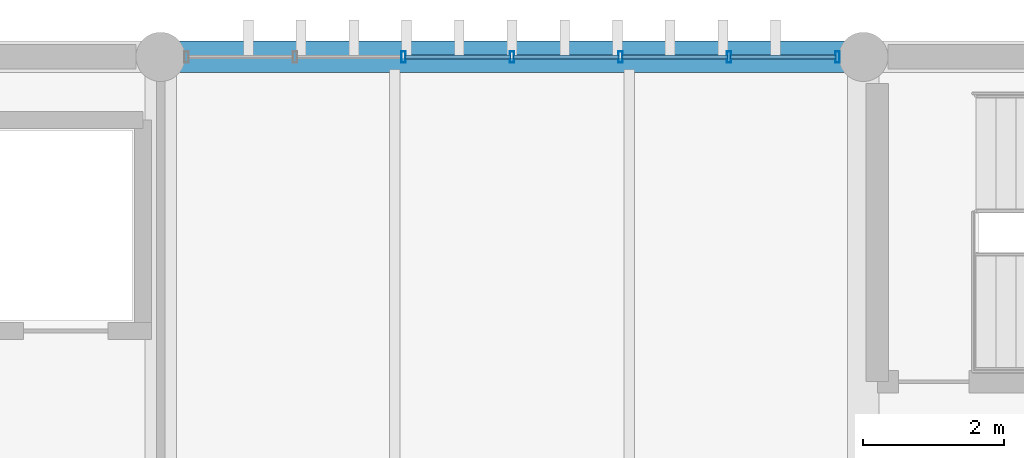
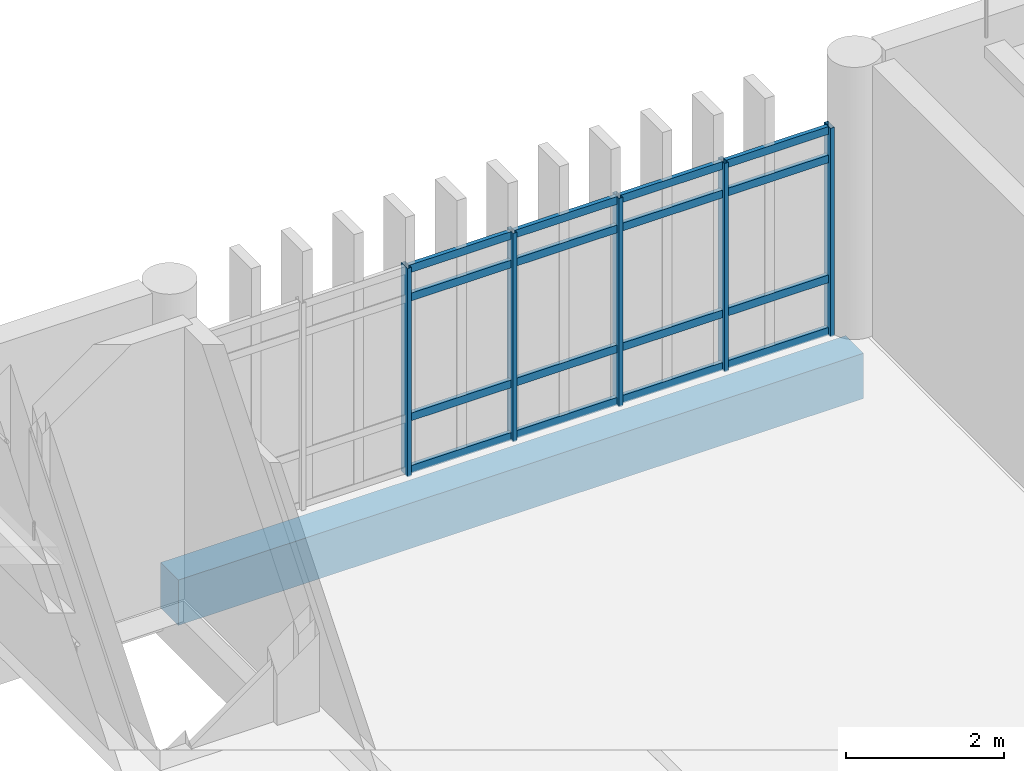
# One storey, part 18 of 29: 21 members, 1 beam, 1 element without a shape of its own.
"""IFC4 building model written with IfcOpenShell, lengths in metres."""

from ifc_helpers import new_model, si_unit, direction, frame, origin, origin_2d, place, context, subcontext, project, spatial, rectangle, hollow_rectangle, extrude, material, layer, layer_set, material_profile, profile_set, type_object, element, aggregate, save


model = new_model("IFC4")

# Units and contexts
model_context = context("Model", 3, precision=1e-05, world=origin(), true_north=direction((0.0, 1.0)))
body_context = subcontext(model_context, "Body", "Model", "MODEL_VIEW")
ifc_project = project(units=[si_unit("LENGTHUNIT", "METRE"), si_unit("AREAUNIT", "SQUARE_METRE"), si_unit("VOLUMEUNIT", "CUBIC_METRE"), si_unit("PLANEANGLEUNIT", "RADIAN"), si_unit("MASSUNIT", "GRAM", prefix="KILO")], contexts=[model_context])

# Site, building, storey
site_placement = place(None, origin())
site = spatial("IfcSite", under=ifc_project, at=site_placement, CompositionType="ELEMENT")
building_placement = place(site_placement, origin())
building = spatial("IfcBuilding", under=site, at=building_placement, Name="Mersad Railyard Sports Hall", CompositionType="ELEMENT")
storey_placement = place(building_placement, frame((0.0, 0.0, 17.39990234375)))
storey = spatial("IfcBuildingStorey", under=building, at=storey_placement, Name="L04", CompositionType="ELEMENT", Elevation=17.39990234375)

# Curtain wall, members
ifc_material_1 = material(Name="Aluminium 6063-T6", Category="aluminium")
ifc_layer = layer(ifc_material_1, 0.159912109375)
ifc_layer_set = layer_set([ifc_layer], Name="Aluminium 6063-T6")
curtain_wall_type = type_object("IfcCurtainWallType", Name="ARC-CW-CW63", PredefinedType="USERDEFINED", material=ifc_layer_set)
curtain_wall_placement = place(storey_placement, origin())
curtain_wall = element("IfcCurtainWall", 1, at=curtain_wall_placement, inside=storey, type_object=curtain_wall_type, Name="Curtain wall CW63-0164", ObjectType="CURTAIN WALL", PredefinedType="USERDEFINED")
ifc_material_profile_1 = material_profile(ifc_material_1, hollow_rectangle(XDim=0.06005859375, YDim=0.159912109375, WallThickness=0.00390625, at=origin_2d()), Name="AL MULLION 60x160x4")
ifc_profile_set_1 = profile_set([ifc_material_profile_1], Name="Aluminium 6063-T6")
member_type_1 = type_object("IfcMemberType", Name="ARC-CW-MUL01", PredefinedType="MULLION", material=ifc_profile_set_1)
member_1_placement = place(storey_placement, frame((104.456787109375, 115.0, -0.02001953125), z_axis=(0.0, 0.0, 1.0), x_axis=(1.0, 0.0, 0.0)))
member_1 = element("IfcMember", 2, at=member_1_placement, type_object=member_type_1, Name="CW63 Mullion 3", PredefinedType="MULLION", context=body_context, shape_type="SweptSolid", body=[
    extrude(hollow_rectangle(XDim=0.06005859375, YDim=0.159912109375, WallThickness=0.00390625, at=origin_2d()), origin(), (0.0, 0.0, 1.0), 3.22021484375),
])
member_2_placement = place(storey_placement, frame((106.0, 115.0, -0.02001953125), z_axis=(0.0, 0.0, 1.0), x_axis=(1.0, 0.0, 0.0)))
member_2 = element("IfcMember", 3, at=member_2_placement, type_object=member_type_1, Name="CW63 Mullion 4", PredefinedType="MULLION", context=body_context, shape_type="SweptSolid", body=[
    extrude(hollow_rectangle(XDim=0.06005859375, YDim=0.159912109375, WallThickness=0.00390625, at=origin_2d()), origin(), (0.0, 0.0, 1.0), 3.22021484375),
])
member_3_placement = place(storey_placement, frame((107.543212890625, 115.0, -0.02001953125), z_axis=(0.0, 0.0, 1.0), x_axis=(1.0, 0.0, 0.0)))
member_3 = element("IfcMember", 4, at=member_3_placement, type_object=member_type_1, Name="CW63 Mullion 5", PredefinedType="MULLION", context=body_context, shape_type="SweptSolid", body=[
    extrude(hollow_rectangle(XDim=0.06005859375, YDim=0.159912109375, WallThickness=0.00390625, at=origin_2d()), origin(), (0.0, 0.0, 1.0), 3.22021484375),
])
member_4_placement = place(storey_placement, frame((109.086669921875, 115.0, -0.02001953125), z_axis=(0.0, 0.0, 1.0), x_axis=(1.0, 0.0, 0.0)))
member_4 = element("IfcMember", 5, at=member_4_placement, type_object=member_type_1, Name="CW63 Mullion 6", PredefinedType="MULLION", context=body_context, shape_type="SweptSolid", body=[
    extrude(hollow_rectangle(XDim=0.06005859375, YDim=0.159912109375, WallThickness=0.00390625, at=origin_2d()), origin(), (0.0, 0.0, 1.0), 3.22021484375),
])
member_5_placement = place(storey_placement, frame((110.6298828125, 115.0, -0.02001953125), z_axis=(0.0, 0.0, 1.0), x_axis=(1.0, 0.0, 0.0)))
member_5 = element("IfcMember", 6, at=member_5_placement, type_object=member_type_1, Name="CW63 Mullion 7", PredefinedType="MULLION", context=body_context, shape_type="SweptSolid", body=[
    extrude(hollow_rectangle(XDim=0.06005859375, YDim=0.159912109375, WallThickness=0.00390625, at=origin_2d()), origin(), (0.0, 0.0, 1.0), 3.22021484375),
])
ifc_material_profile_2 = material_profile(ifc_material_1, hollow_rectangle(XDim=0.06005859375, YDim=0.1201171875, WallThickness=0.00390625, at=origin_2d()), Name="AL TRANSOM 60x120x4")
ifc_profile_set_2 = profile_set([ifc_material_profile_2], Name="Aluminium 6063-T6")
member_type_2 = type_object("IfcMemberType", Name="ARC-CW-TRN01", PredefinedType="USERDEFINED", material=ifc_profile_set_2)
member_6_placement = place(storey_placement, frame((104.4765625, 115.0, 0.0400390625), z_axis=(1.0, 0.0, 0.0), x_axis=(0.0, 1.0, 0.0)))
member_6 = element("IfcMember", 7, at=member_6_placement, type_object=member_type_2, Name="CW63 Transom 1-3", ObjectType="TRANSOM", PredefinedType="USERDEFINED", context=body_context, shape_type="SweptSolid", body=[
    extrude(hollow_rectangle(XDim=0.06005859375, YDim=0.1201171875, WallThickness=0.00390625, at=origin_2d()), origin(), (0.0, 0.0, 1.0), 1.50341796875),
])
member_7_placement = place(storey_placement, frame((106.02001953125, 115.0, 0.0400390625), z_axis=(1.0, 0.0, 0.0), x_axis=(0.0, 1.0, 0.0)))
member_7 = element("IfcMember", 8, at=member_7_placement, type_object=member_type_2, Name="CW63 Transom 1-4", ObjectType="TRANSOM", PredefinedType="USERDEFINED", context=body_context, shape_type="SweptSolid", body=[
    extrude(hollow_rectangle(XDim=0.06005859375, YDim=0.1201171875, WallThickness=0.00390625, at=origin_2d()), origin(), (0.0, 0.0, 1.0), 1.50341796875),
])
member_8_placement = place(storey_placement, frame((107.563232421875, 115.0, 0.0400390625), z_axis=(1.0, 0.0, 0.0), x_axis=(0.0, 1.0, 0.0)))
member_8 = element("IfcMember", 9, at=member_8_placement, type_object=member_type_2, Name="CW63 Transom 1-5", ObjectType="TRANSOM", PredefinedType="USERDEFINED", context=body_context, shape_type="SweptSolid", body=[
    extrude(hollow_rectangle(XDim=0.06005859375, YDim=0.1201171875, WallThickness=0.00390625, at=origin_2d()), origin(), (0.0, 0.0, 1.0), 1.50341796875),
])
member_9_placement = place(storey_placement, frame((109.106689453125, 115.0, 0.0400390625), z_axis=(1.0, 0.0, 0.0), x_axis=(0.0, 1.0, 0.0)))
member_9 = element("IfcMember", 10, at=member_9_placement, type_object=member_type_2, Name="CW63 Transom 1-6", ObjectType="TRANSOM", PredefinedType="USERDEFINED", context=body_context, shape_type="SweptSolid", body=[
    extrude(hollow_rectangle(XDim=0.06005859375, YDim=0.1201171875, WallThickness=0.00390625, at=origin_2d()), origin(), (0.0, 0.0, 1.0), 1.50341796875),
])
member_10_placement = place(storey_placement, frame((104.4765625, 115.0, 0.85009765625), z_axis=(1.0, 0.0, 0.0), x_axis=(0.0, 1.0, 0.0)))
member_10 = element("IfcMember", 11, at=member_10_placement, type_object=member_type_2, Name="CW63 Transom 2-3", ObjectType="TRANSOM", PredefinedType="USERDEFINED", context=body_context, shape_type="SweptSolid", body=[
    extrude(hollow_rectangle(XDim=0.06005859375, YDim=0.1201171875, WallThickness=0.00390625, at=origin_2d()), origin(), (0.0, 0.0, 1.0), 1.50341796875),
])
member_11_placement = place(storey_placement, frame((106.02001953125, 115.0, 0.85009765625), z_axis=(1.0, 0.0, 0.0), x_axis=(0.0, 1.0, 0.0)))
member_11 = element("IfcMember", 12, at=member_11_placement, type_object=member_type_2, Name="CW63 Transom 2-4", ObjectType="TRANSOM", PredefinedType="USERDEFINED", context=body_context, shape_type="SweptSolid", body=[
    extrude(hollow_rectangle(XDim=0.06005859375, YDim=0.1201171875, WallThickness=0.00390625, at=origin_2d()), origin(), (0.0, 0.0, 1.0), 1.50341796875),
])
member_12_placement = place(storey_placement, frame((107.563232421875, 115.0, 0.85009765625), z_axis=(1.0, 0.0, 0.0), x_axis=(0.0, 1.0, 0.0)))
member_12 = element("IfcMember", 13, at=member_12_placement, type_object=member_type_2, Name="CW63 Transom 2-5", ObjectType="TRANSOM", PredefinedType="USERDEFINED", context=body_context, shape_type="SweptSolid", body=[
    extrude(hollow_rectangle(XDim=0.06005859375, YDim=0.1201171875, WallThickness=0.00390625, at=origin_2d()), origin(), (0.0, 0.0, 1.0), 1.50341796875),
])
member_13_placement = place(storey_placement, frame((109.106689453125, 115.0, 0.85009765625), z_axis=(1.0, 0.0, 0.0), x_axis=(0.0, 1.0, 0.0)))
member_13 = element("IfcMember", 14, at=member_13_placement, type_object=member_type_2, Name="CW63 Transom 2-6", ObjectType="TRANSOM", PredefinedType="USERDEFINED", context=body_context, shape_type="SweptSolid", body=[
    extrude(hollow_rectangle(XDim=0.06005859375, YDim=0.1201171875, WallThickness=0.00390625, at=origin_2d()), origin(), (0.0, 0.0, 1.0), 1.50341796875),
])
member_14_placement = place(storey_placement, frame((104.4765625, 115.0, 2.7001953125), z_axis=(1.0, 0.0, 0.0), x_axis=(0.0, 1.0, 0.0)))
member_14 = element("IfcMember", 15, at=member_14_placement, type_object=member_type_2, Name="CW63 Transom 3-3", ObjectType="TRANSOM", PredefinedType="USERDEFINED", context=body_context, shape_type="SweptSolid", body=[
    extrude(hollow_rectangle(XDim=0.06005859375, YDim=0.1201171875, WallThickness=0.00390625, at=origin_2d()), origin(), (0.0, 0.0, 1.0), 1.50341796875),
])
member_15_placement = place(storey_placement, frame((106.02001953125, 115.0, 2.7001953125), z_axis=(1.0, 0.0, 0.0), x_axis=(0.0, 1.0, 0.0)))
member_15 = element("IfcMember", 16, at=member_15_placement, type_object=member_type_2, Name="CW63 Transom 3-4", ObjectType="TRANSOM", PredefinedType="USERDEFINED", context=body_context, shape_type="SweptSolid", body=[
    extrude(hollow_rectangle(XDim=0.06005859375, YDim=0.1201171875, WallThickness=0.00390625, at=origin_2d()), origin(), (0.0, 0.0, 1.0), 1.50341796875),
])
member_16_placement = place(storey_placement, frame((107.563232421875, 115.0, 2.7001953125), z_axis=(1.0, 0.0, 0.0), x_axis=(0.0, 1.0, 0.0)))
member_16 = element("IfcMember", 17, at=member_16_placement, type_object=member_type_2, Name="CW63 Transom 3-5", ObjectType="TRANSOM", PredefinedType="USERDEFINED", context=body_context, shape_type="SweptSolid", body=[
    extrude(hollow_rectangle(XDim=0.06005859375, YDim=0.1201171875, WallThickness=0.00390625, at=origin_2d()), origin(), (0.0, 0.0, 1.0), 1.50341796875),
])
member_17_placement = place(storey_placement, frame((109.106689453125, 115.0, 2.7001953125), z_axis=(1.0, 0.0, 0.0), x_axis=(0.0, 1.0, 0.0)))
member_17 = element("IfcMember", 18, at=member_17_placement, type_object=member_type_2, Name="CW63 Transom 3-6", ObjectType="TRANSOM", PredefinedType="USERDEFINED", context=body_context, shape_type="SweptSolid", body=[
    extrude(hollow_rectangle(XDim=0.06005859375, YDim=0.1201171875, WallThickness=0.00390625, at=origin_2d()), origin(), (0.0, 0.0, 1.0), 1.50341796875),
])
member_18_placement = place(storey_placement, frame((104.4765625, 115.0, 3.14013671875), z_axis=(1.0, 0.0, 0.0), x_axis=(0.0, 1.0, 0.0)))
member_18 = element("IfcMember", 19, at=member_18_placement, type_object=member_type_2, Name="CW63 Transom 4-3", ObjectType="TRANSOM", PredefinedType="USERDEFINED", context=body_context, shape_type="SweptSolid", body=[
    extrude(hollow_rectangle(XDim=0.06005859375, YDim=0.1201171875, WallThickness=0.00390625, at=origin_2d()), origin(), (0.0, 0.0, 1.0), 1.50341796875),
])
member_19_placement = place(storey_placement, frame((106.02001953125, 115.0, 3.14013671875), z_axis=(1.0, 0.0, 0.0), x_axis=(0.0, 1.0, 0.0)))
member_19 = element("IfcMember", 20, at=member_19_placement, type_object=member_type_2, Name="CW63 Transom 4-4", ObjectType="TRANSOM", PredefinedType="USERDEFINED", context=body_context, shape_type="SweptSolid", body=[
    extrude(hollow_rectangle(XDim=0.06005859375, YDim=0.1201171875, WallThickness=0.00390625, at=origin_2d()), origin(), (0.0, 0.0, 1.0), 1.50341796875),
])
member_20_placement = place(storey_placement, frame((107.563232421875, 115.0, 3.14013671875), z_axis=(1.0, 0.0, 0.0), x_axis=(0.0, 1.0, 0.0)))
member_20 = element("IfcMember", 21, at=member_20_placement, type_object=member_type_2, Name="CW63 Transom 4-5", ObjectType="TRANSOM", PredefinedType="USERDEFINED", context=body_context, shape_type="SweptSolid", body=[
    extrude(hollow_rectangle(XDim=0.06005859375, YDim=0.1201171875, WallThickness=0.00390625, at=origin_2d()), origin(), (0.0, 0.0, 1.0), 1.50341796875),
])
member_21_placement = place(storey_placement, frame((109.106689453125, 115.0, 3.14013671875), z_axis=(1.0, 0.0, 0.0), x_axis=(0.0, 1.0, 0.0)))
member_21 = element("IfcMember", 22, at=member_21_placement, type_object=member_type_2, Name="CW63 Transom 4-6", ObjectType="TRANSOM", PredefinedType="USERDEFINED", context=body_context, shape_type="SweptSolid", body=[
    extrude(hollow_rectangle(XDim=0.06005859375, YDim=0.1201171875, WallThickness=0.00390625, at=origin_2d()), origin(), (0.0, 0.0, 1.0), 1.50341796875),
])
aggregate(curtain_wall, [member_1, member_2, member_3, member_4, member_5, member_6, member_7, member_8, member_9, member_10, member_11, member_12, member_13, member_14, member_15, member_16, member_17, member_18, member_19, member_20, member_21])

# Beam
ifc_material_2 = material(Name="Architectural concrete C40/50", Category="concrete")
ifc_material_profile_3 = material_profile(ifc_material_2, rectangle(XDim=0.449951171875, YDim=0.699951171875, at=origin_2d()), Name="RC 450x700")
ifc_profile_set_3 = profile_set([ifc_material_profile_3], Name="Architectural concrete C40/50")
beam_type = type_object("IfcBeamType", Name="STR-BM-SP01", PredefinedType="SPANDREL", material=ifc_profile_set_3)
beam_placement = place(storey_placement, frame((101.0, 115.0, -0.669921875), z_axis=(1.0, 0.0, 0.0), x_axis=(0.0, 1.0, 0.0)))
element("IfcBeam", 23, at=beam_placement, inside=storey, type_object=beam_type, Name="Beam SP01-1339", PredefinedType="SPANDREL", context=body_context, shape_type="SweptSolid", body=[
    extrude(rectangle(XDim=0.449951171875, YDim=0.699951171875, at=origin_2d()), origin(), (0.0, 0.0, 1.0), 10.0),
])

save(model, "model.ifc")
